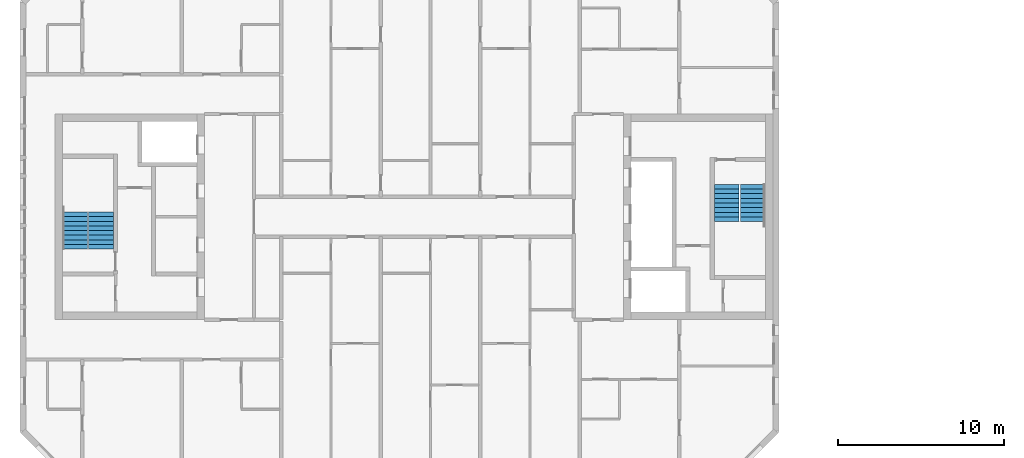
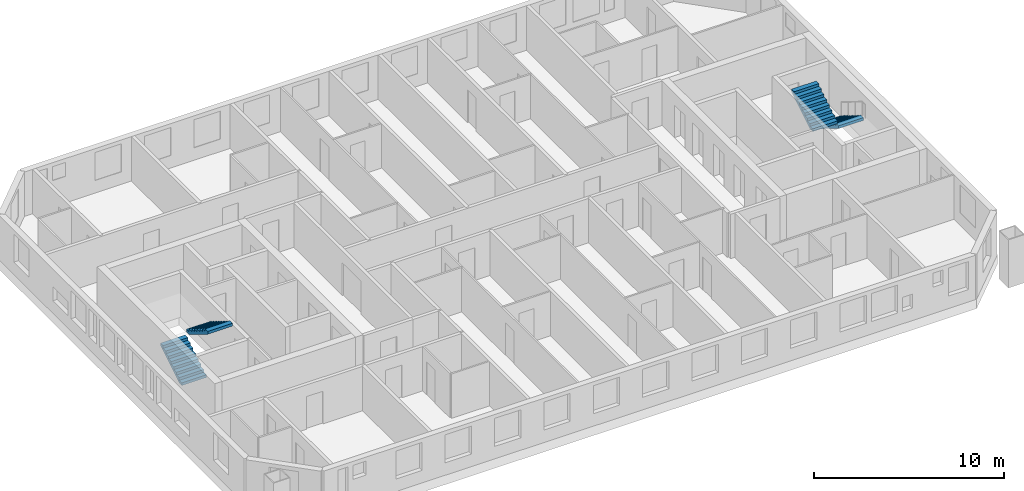
# One storey, part 15 of 16: 4 stair flights, 2 elements without a shape of their own.
"""IFC4 building model written with IfcOpenShell, lengths in metres."""

from ifc_helpers import new_model, si_unit, direction, frame, origin, place, context, subcontext, project, spatial, faceted_brep, material, type_object, element, aggregate, save


model = new_model("IFC4")

# Units and contexts
model_context = context("Model", 3, precision=1e-05, world=origin(), true_north=direction((0.0, 1.0)))
body_context = subcontext(model_context, "Body", "Model", "MODEL_VIEW")
ifc_project = project(units=[si_unit("LENGTHUNIT", "METRE"), si_unit("AREAUNIT", "SQUARE_METRE"), si_unit("VOLUMEUNIT", "CUBIC_METRE"), si_unit("PLANEANGLEUNIT", "RADIAN"), si_unit("MASSUNIT", "GRAM", prefix="KILO")], contexts=[model_context])

# Site, building, storey
site_placement = place(None, origin())
site = spatial("IfcSite", under=ifc_project, at=site_placement, CompositionType="ELEMENT")
building_placement = place(site_placement, origin())
building = spatial("IfcBuilding", under=site, at=building_placement, Name="Tuart Gate Housing", CompositionType="ELEMENT")
storey_placement = place(building_placement, frame((0.0, 0.0, 175.800048828125)))
storey = spatial("IfcBuildingStorey", under=building, at=storey_placement, Name="L49", CompositionType="ELEMENT", Elevation=175.800048828125)

# Stair, stair flights
ifc_material_1 = material(Name="Concrete C40", Category="concrete")
stair_type = type_object("IfcStairType", Name="Core stair 1500", PredefinedType="HALF_TURN_STAIR", material=ifc_material_1)
stair_1_placement = place(storey_placement, origin())
stair_1 = element("IfcStair", 1, at=stair_1_placement, inside=storey, type_object=stair_type, Name="Stair SA1", PredefinedType="HALF_TURN_STAIR")
ifc_material_2 = material(Name="Concrete C40", Category="concrete")
stair_flight_type = type_object("IfcStairFlightType", Name="Stair flight 1500, 9 risers 172 x 280", PredefinedType="STRAIGHT", material=ifc_material_2)
stair_flight_1_placement = place(storey_placement, frame((74.43994140625, 71.949951171875, 0.0), z_axis=(0.0, 0.0, 1.0), x_axis=(0.0, -1.0, 0.0)))
stair_flight_1 = element("IfcStairFlight", 2, at=stair_flight_1_placement, type_object=stair_flight_type, Name="SA1 flight 1", NumberOfRisers=9, NumberOfTreads=8, PredefinedType="STRAIGHT", RiserHeight=0.172222222, TreadLength=0.28, context=body_context, shape_type="Brep", body=[
    faceted_brep([(0.0, 0.75, 0.0), (0.0, 0.75, 0.172119140625), (0.280029296875, 0.75, 0.172119140625), (0.280029296875, 0.75, 0.344482421875), (0.56005859375, 0.75, 0.344482421875), (0.56005859375, 0.75, 0.5166015625), (0.840087890625, 0.75, 0.5166015625), (0.840087890625, 0.75, 0.68896484375), (1.1201171875, 0.75, 0.68896484375), (1.1201171875, 0.75, 0.861083984375), (1.39990234375, 0.75, 0.861083984375), (1.39990234375, 0.75, 1.033447265625), (1.679931640625, 0.75, 1.033447265625), (1.679931640625, 0.75, 1.20556640625), (1.9599609375, 0.75, 1.20556640625), (1.9599609375, 0.75, 1.377685546875), (2.239990234375, 0.75, 1.377685546875), (2.239990234375, 0.75, 1.201904296875), (0.2861328125, 0.75, 0.0), (0.2861328125, -0.75, 0.0), (2.239990234375, -0.75, 1.201904296875), (2.239990234375, -0.75, 1.377685546875), (1.9599609375, -0.75, 1.377685546875), (1.9599609375, -0.75, 1.20556640625), (1.679931640625, -0.75, 1.20556640625), (1.679931640625, -0.75, 1.033447265625), (1.39990234375, -0.75, 1.033447265625), (1.39990234375, -0.75, 0.861083984375), (1.1201171875, -0.75, 0.861083984375), (1.1201171875, -0.75, 0.68896484375), (0.840087890625, -0.75, 0.68896484375), (0.840087890625, -0.75, 0.5166015625), (0.56005859375, -0.75, 0.5166015625), (0.56005859375, -0.75, 0.344482421875), (0.280029296875, -0.75, 0.344482421875), (0.280029296875, -0.75, 0.172119140625), (0.0, -0.75, 0.172119140625), (0.0, -0.75, 0.0), (2.239990234375, 0.0, 1.201904296875), (0.2861328125, 0.0, 0.0), (2.239990234375, 0.0, 1.377685546875), (1.9599609375, 0.0, 1.377685546875), (1.9599609375, 0.0, 1.20556640625), (1.679931640625, 0.0, 1.20556640625), (1.679931640625, 0.0, 1.033447265625), (1.39990234375, 0.0, 1.033447265625), (1.39990234375, 0.0, 0.861083984375), (1.1201171875, 0.0, 0.861083984375), (1.1201171875, 0.0, 0.68896484375), (0.840087890625, 0.0, 0.68896484375), (0.840087890625, 0.0, 0.5166015625), (0.56005859375, 0.0, 0.5166015625), (0.56005859375, 0.0, 0.344482421875), (0.280029296875, 0.0, 0.344482421875), (0.280029296875, 0.0, 0.172119140625), (0.0, 0.0, 0.172119140625), (0.0, 0.0, 0.0)], [[[0, 1, 2, 3, 4, 5, 6, 7, 8, 9, 10, 11, 12, 13, 14, 15, 16, 17, 18]], [[19, 20, 21, 22, 23, 24, 25, 26, 27, 28, 29, 30, 31, 32, 33, 34, 35, 36, 37]], [[18, 17, 38, 39]], [[39, 38, 20, 19]], [[17, 16, 40, 38]], [[38, 40, 21, 20]], [[16, 15, 41, 40]], [[40, 41, 22, 21]], [[15, 14, 42, 41]], [[41, 42, 23, 22]], [[14, 13, 43, 42]], [[42, 43, 24, 23]], [[13, 12, 44, 43]], [[43, 44, 25, 24]], [[12, 11, 45, 44]], [[44, 45, 26, 25]], [[11, 10, 46, 45]], [[45, 46, 27, 26]], [[10, 9, 47, 46]], [[46, 47, 28, 27]], [[9, 8, 48, 47]], [[47, 48, 29, 28]], [[8, 7, 49, 48]], [[48, 49, 30, 29]], [[7, 6, 50, 49]], [[49, 50, 31, 30]], [[6, 5, 51, 50]], [[50, 51, 32, 31]], [[5, 4, 52, 51]], [[51, 52, 33, 32]], [[4, 3, 53, 52]], [[52, 53, 34, 33]], [[3, 2, 54, 53]], [[53, 54, 35, 34]], [[2, 1, 55, 54]], [[54, 55, 36, 35]], [[1, 0, 56, 55]], [[55, 56, 37, 36]], [[0, 18, 39, 56]], [[56, 39, 19, 37]]]),
])
stair_flight_2_placement = place(storey_placement, frame((72.864990234375, 69.7099609375, 1.550048828125), z_axis=(0.0, 0.0, 1.0), x_axis=(0.0, 1.0, 0.0)))
stair_flight_2 = element("IfcStairFlight", 3, at=stair_flight_2_placement, type_object=stair_flight_type, Name="SA1 flight 2", NumberOfRisers=9, NumberOfTreads=8, PredefinedType="STRAIGHT", RiserHeight=0.172222222, TreadLength=0.28, context=body_context, shape_type="Brep", body=[
    faceted_brep([(0.0, 0.75, 0.0), (0.0, 0.75, 0.172119140625), (0.280029296875, 0.75, 0.172119140625), (0.280029296875, 0.75, 0.344482421875), (0.56005859375, 0.75, 0.344482421875), (0.56005859375, 0.75, 0.5166015625), (0.840087890625, 0.75, 0.5166015625), (0.840087890625, 0.75, 0.68896484375), (1.1201171875, 0.75, 0.68896484375), (1.1201171875, 0.75, 0.861083984375), (1.39990234375, 0.75, 0.861083984375), (1.39990234375, 0.75, 1.033447265625), (1.679931640625, 0.75, 1.033447265625), (1.679931640625, 0.75, 1.20556640625), (1.9599609375, 0.75, 1.20556640625), (1.9599609375, 0.75, 1.377685546875), (2.239990234375, 0.75, 1.377685546875), (2.239990234375, 0.75, 1.201904296875), (0.2861328125, 0.75, 0.0), (0.2861328125, -0.75, 0.0), (2.239990234375, -0.75, 1.201904296875), (2.239990234375, -0.75, 1.377685546875), (1.9599609375, -0.75, 1.377685546875), (1.9599609375, -0.75, 1.20556640625), (1.679931640625, -0.75, 1.20556640625), (1.679931640625, -0.75, 1.033447265625), (1.39990234375, -0.75, 1.033447265625), (1.39990234375, -0.75, 0.861083984375), (1.1201171875, -0.75, 0.861083984375), (1.1201171875, -0.75, 0.68896484375), (0.840087890625, -0.75, 0.68896484375), (0.840087890625, -0.75, 0.5166015625), (0.56005859375, -0.75, 0.5166015625), (0.56005859375, -0.75, 0.344482421875), (0.280029296875, -0.75, 0.344482421875), (0.280029296875, -0.75, 0.172119140625), (0.0, -0.75, 0.172119140625), (0.0, -0.75, 0.0), (2.239990234375, 0.0, 1.201904296875), (0.2861328125, 0.0, 0.0), (2.239990234375, 0.0, 1.377685546875), (1.9599609375, 0.0, 1.377685546875), (1.9599609375, 0.0, 1.20556640625), (1.679931640625, 0.0, 1.20556640625), (1.679931640625, 0.0, 1.033447265625), (1.39990234375, 0.0, 1.033447265625), (1.39990234375, 0.0, 0.861083984375), (1.1201171875, 0.0, 0.861083984375), (1.1201171875, 0.0, 0.68896484375), (0.840087890625, 0.0, 0.68896484375), (0.840087890625, 0.0, 0.5166015625), (0.56005859375, 0.0, 0.5166015625), (0.56005859375, 0.0, 0.344482421875), (0.280029296875, 0.0, 0.344482421875), (0.280029296875, 0.0, 0.172119140625), (0.0, 0.0, 0.172119140625), (0.0, 0.0, 0.0)], [[[0, 1, 2, 3, 4, 5, 6, 7, 8, 9, 10, 11, 12, 13, 14, 15, 16, 17, 18]], [[19, 20, 21, 22, 23, 24, 25, 26, 27, 28, 29, 30, 31, 32, 33, 34, 35, 36, 37]], [[18, 17, 38, 39]], [[39, 38, 20, 19]], [[17, 16, 40, 38]], [[38, 40, 21, 20]], [[16, 15, 41, 40]], [[40, 41, 22, 21]], [[15, 14, 42, 41]], [[41, 42, 23, 22]], [[14, 13, 43, 42]], [[42, 43, 24, 23]], [[13, 12, 44, 43]], [[43, 44, 25, 24]], [[12, 11, 45, 44]], [[44, 45, 26, 25]], [[11, 10, 46, 45]], [[45, 46, 27, 26]], [[10, 9, 47, 46]], [[46, 47, 28, 27]], [[9, 8, 48, 47]], [[47, 48, 29, 28]], [[8, 7, 49, 48]], [[48, 49, 30, 29]], [[7, 6, 50, 49]], [[49, 50, 31, 30]], [[6, 5, 51, 50]], [[50, 51, 32, 31]], [[5, 4, 52, 51]], [[51, 52, 33, 32]], [[4, 3, 53, 52]], [[52, 53, 34, 33]], [[3, 2, 54, 53]], [[53, 54, 35, 34]], [[2, 1, 55, 54]], [[54, 55, 36, 35]], [[1, 0, 56, 55]], [[55, 56, 37, 36]], [[0, 18, 39, 56]], [[56, 39, 19, 37]]]),
])
aggregate(stair_1, [stair_flight_1, stair_flight_2])

stair_2_placement = place(storey_placement, origin())
stair_2 = element("IfcStair", 4, at=stair_2_placement, inside=storey, type_object=stair_type, Name="Stair SA2", PredefinedType="HALF_TURN_STAIR")
stair_flight_3_placement = place(storey_placement, frame((33.56005859375, 68.050048828125, 0.0), z_axis=(0.0, 0.0, 1.0), x_axis=(0.0, 1.0, 0.0)))
stair_flight_3 = element("IfcStairFlight", 5, at=stair_flight_3_placement, type_object=stair_flight_type, Name="SA2 flight 1", NumberOfRisers=9, NumberOfTreads=8, PredefinedType="STRAIGHT", RiserHeight=0.172222222, TreadLength=0.28, context=body_context, shape_type="Brep", body=[
    faceted_brep([(0.0, 0.75, 0.0), (0.0, 0.75, 0.172119140625), (0.280029296875, 0.75, 0.172119140625), (0.280029296875, 0.75, 0.344482421875), (0.56005859375, 0.75, 0.344482421875), (0.56005859375, 0.75, 0.5166015625), (0.840087890625, 0.75, 0.5166015625), (0.840087890625, 0.75, 0.68896484375), (1.1201171875, 0.75, 0.68896484375), (1.1201171875, 0.75, 0.861083984375), (1.39990234375, 0.75, 0.861083984375), (1.39990234375, 0.75, 1.033447265625), (1.679931640625, 0.75, 1.033447265625), (1.679931640625, 0.75, 1.20556640625), (1.9599609375, 0.75, 1.20556640625), (1.9599609375, 0.75, 1.377685546875), (2.239990234375, 0.75, 1.377685546875), (2.239990234375, 0.75, 1.201904296875), (0.2861328125, 0.75, 0.0), (0.2861328125, -0.75, 0.0), (2.239990234375, -0.75, 1.201904296875), (2.239990234375, -0.75, 1.377685546875), (1.9599609375, -0.75, 1.377685546875), (1.9599609375, -0.75, 1.20556640625), (1.679931640625, -0.75, 1.20556640625), (1.679931640625, -0.75, 1.033447265625), (1.39990234375, -0.75, 1.033447265625), (1.39990234375, -0.75, 0.861083984375), (1.1201171875, -0.75, 0.861083984375), (1.1201171875, -0.75, 0.68896484375), (0.840087890625, -0.75, 0.68896484375), (0.840087890625, -0.75, 0.5166015625), (0.56005859375, -0.75, 0.5166015625), (0.56005859375, -0.75, 0.344482421875), (0.280029296875, -0.75, 0.344482421875), (0.280029296875, -0.75, 0.172119140625), (0.0, -0.75, 0.172119140625), (0.0, -0.75, 0.0), (2.239990234375, 0.0, 1.201904296875), (0.2861328125, 0.0, 0.0), (2.239990234375, 0.0, 1.377685546875), (1.9599609375, 0.0, 1.377685546875), (1.9599609375, 0.0, 1.20556640625), (1.679931640625, 0.0, 1.20556640625), (1.679931640625, 0.0, 1.033447265625), (1.39990234375, 0.0, 1.033447265625), (1.39990234375, 0.0, 0.861083984375), (1.1201171875, 0.0, 0.861083984375), (1.1201171875, 0.0, 0.68896484375), (0.840087890625, 0.0, 0.68896484375), (0.840087890625, 0.0, 0.5166015625), (0.56005859375, 0.0, 0.5166015625), (0.56005859375, 0.0, 0.344482421875), (0.280029296875, 0.0, 0.344482421875), (0.280029296875, 0.0, 0.172119140625), (0.0, 0.0, 0.172119140625), (0.0, 0.0, 0.0)], [[[0, 1, 2, 3, 4, 5, 6, 7, 8, 9, 10, 11, 12, 13, 14, 15, 16, 17, 18]], [[19, 20, 21, 22, 23, 24, 25, 26, 27, 28, 29, 30, 31, 32, 33, 34, 35, 36, 37]], [[18, 17, 38, 39]], [[39, 38, 20, 19]], [[17, 16, 40, 38]], [[38, 40, 21, 20]], [[16, 15, 41, 40]], [[40, 41, 22, 21]], [[15, 14, 42, 41]], [[41, 42, 23, 22]], [[14, 13, 43, 42]], [[42, 43, 24, 23]], [[13, 12, 44, 43]], [[43, 44, 25, 24]], [[12, 11, 45, 44]], [[44, 45, 26, 25]], [[11, 10, 46, 45]], [[45, 46, 27, 26]], [[10, 9, 47, 46]], [[46, 47, 28, 27]], [[9, 8, 48, 47]], [[47, 48, 29, 28]], [[8, 7, 49, 48]], [[48, 49, 30, 29]], [[7, 6, 50, 49]], [[49, 50, 31, 30]], [[6, 5, 51, 50]], [[50, 51, 32, 31]], [[5, 4, 52, 51]], [[51, 52, 33, 32]], [[4, 3, 53, 52]], [[52, 53, 34, 33]], [[3, 2, 54, 53]], [[53, 54, 35, 34]], [[2, 1, 55, 54]], [[54, 55, 36, 35]], [[1, 0, 56, 55]], [[55, 56, 37, 36]], [[0, 18, 39, 56]], [[56, 39, 19, 37]]]),
])
stair_flight_4_placement = place(storey_placement, frame((35.135009765625, 70.2900390625, 1.550048828125), z_axis=(0.0, 0.0, 1.0), x_axis=(0.0, -1.0, 0.0)))
stair_flight_4 = element("IfcStairFlight", 6, at=stair_flight_4_placement, type_object=stair_flight_type, Name="SA2 flight 2", NumberOfRisers=9, NumberOfTreads=8, PredefinedType="STRAIGHT", RiserHeight=0.172222222, TreadLength=0.28, context=body_context, shape_type="Brep", body=[
    faceted_brep([(0.0, 0.75, 0.0), (0.0, 0.75, 0.172119140625), (0.280029296875, 0.75, 0.172119140625), (0.280029296875, 0.75, 0.344482421875), (0.56005859375, 0.75, 0.344482421875), (0.56005859375, 0.75, 0.5166015625), (0.840087890625, 0.75, 0.5166015625), (0.840087890625, 0.75, 0.68896484375), (1.1201171875, 0.75, 0.68896484375), (1.1201171875, 0.75, 0.861083984375), (1.39990234375, 0.75, 0.861083984375), (1.39990234375, 0.75, 1.033447265625), (1.679931640625, 0.75, 1.033447265625), (1.679931640625, 0.75, 1.20556640625), (1.9599609375, 0.75, 1.20556640625), (1.9599609375, 0.75, 1.377685546875), (2.239990234375, 0.75, 1.377685546875), (2.239990234375, 0.75, 1.201904296875), (0.2861328125, 0.75, 0.0), (0.2861328125, -0.75, 0.0), (2.239990234375, -0.75, 1.201904296875), (2.239990234375, -0.75, 1.377685546875), (1.9599609375, -0.75, 1.377685546875), (1.9599609375, -0.75, 1.20556640625), (1.679931640625, -0.75, 1.20556640625), (1.679931640625, -0.75, 1.033447265625), (1.39990234375, -0.75, 1.033447265625), (1.39990234375, -0.75, 0.861083984375), (1.1201171875, -0.75, 0.861083984375), (1.1201171875, -0.75, 0.68896484375), (0.840087890625, -0.75, 0.68896484375), (0.840087890625, -0.75, 0.5166015625), (0.56005859375, -0.75, 0.5166015625), (0.56005859375, -0.75, 0.344482421875), (0.280029296875, -0.75, 0.344482421875), (0.280029296875, -0.75, 0.172119140625), (0.0, -0.75, 0.172119140625), (0.0, -0.75, 0.0), (2.239990234375, 0.0, 1.201904296875), (0.2861328125, 0.0, 0.0), (2.239990234375, 0.0, 1.377685546875), (1.9599609375, 0.0, 1.377685546875), (1.9599609375, 0.0, 1.20556640625), (1.679931640625, 0.0, 1.20556640625), (1.679931640625, 0.0, 1.033447265625), (1.39990234375, 0.0, 1.033447265625), (1.39990234375, 0.0, 0.861083984375), (1.1201171875, 0.0, 0.861083984375), (1.1201171875, 0.0, 0.68896484375), (0.840087890625, 0.0, 0.68896484375), (0.840087890625, 0.0, 0.5166015625), (0.56005859375, 0.0, 0.5166015625), (0.56005859375, 0.0, 0.344482421875), (0.280029296875, 0.0, 0.344482421875), (0.280029296875, 0.0, 0.172119140625), (0.0, 0.0, 0.172119140625), (0.0, 0.0, 0.0)], [[[0, 1, 2, 3, 4, 5, 6, 7, 8, 9, 10, 11, 12, 13, 14, 15, 16, 17, 18]], [[19, 20, 21, 22, 23, 24, 25, 26, 27, 28, 29, 30, 31, 32, 33, 34, 35, 36, 37]], [[18, 17, 38, 39]], [[39, 38, 20, 19]], [[17, 16, 40, 38]], [[38, 40, 21, 20]], [[16, 15, 41, 40]], [[40, 41, 22, 21]], [[15, 14, 42, 41]], [[41, 42, 23, 22]], [[14, 13, 43, 42]], [[42, 43, 24, 23]], [[13, 12, 44, 43]], [[43, 44, 25, 24]], [[12, 11, 45, 44]], [[44, 45, 26, 25]], [[11, 10, 46, 45]], [[45, 46, 27, 26]], [[10, 9, 47, 46]], [[46, 47, 28, 27]], [[9, 8, 48, 47]], [[47, 48, 29, 28]], [[8, 7, 49, 48]], [[48, 49, 30, 29]], [[7, 6, 50, 49]], [[49, 50, 31, 30]], [[6, 5, 51, 50]], [[50, 51, 32, 31]], [[5, 4, 52, 51]], [[51, 52, 33, 32]], [[4, 3, 53, 52]], [[52, 53, 34, 33]], [[3, 2, 54, 53]], [[53, 54, 35, 34]], [[2, 1, 55, 54]], [[54, 55, 36, 35]], [[1, 0, 56, 55]], [[55, 56, 37, 36]], [[0, 18, 39, 56]], [[56, 39, 19, 37]]]),
])
aggregate(stair_2, [stair_flight_3, stair_flight_4])

save(model, "model.ifc")
